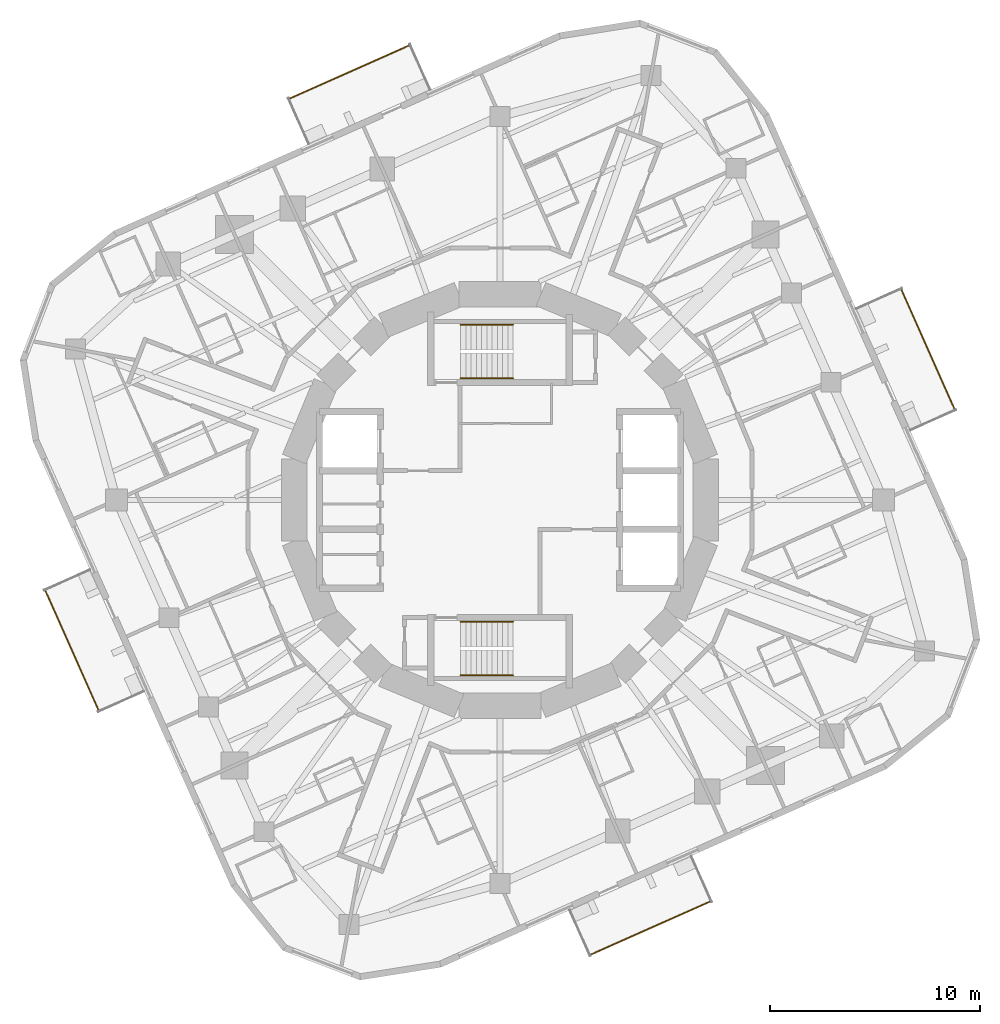
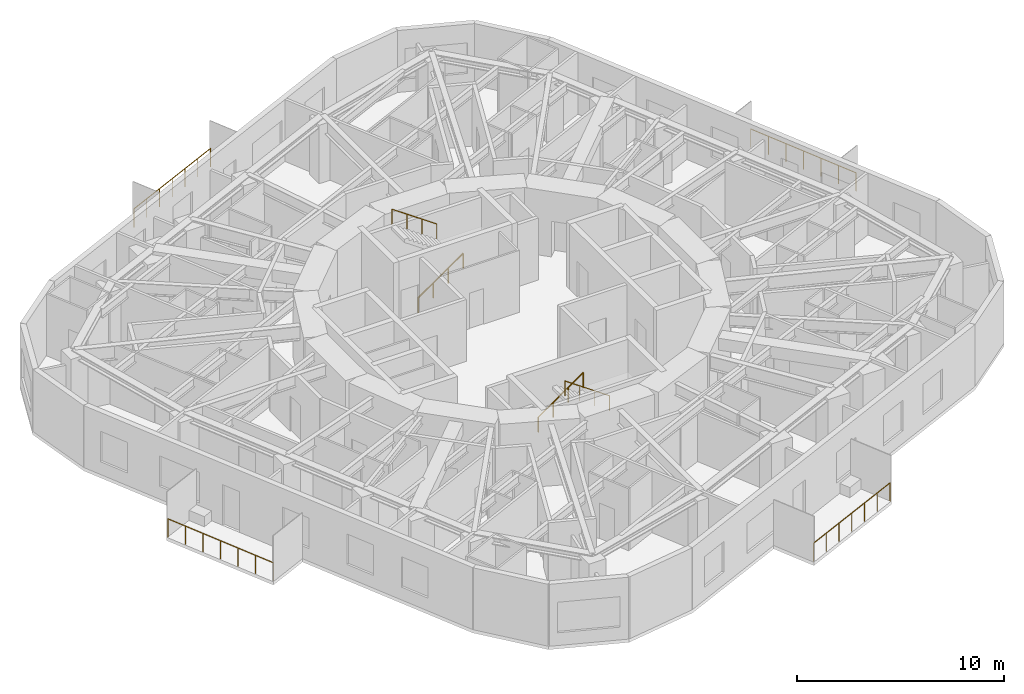
# One storey, part 11 of 12: 8 railings.
"""IFC4 building model written with IfcOpenShell, lengths in metres."""

from ifc_helpers import new_model, si_unit, direction, frame, origin, origin_2d, place, context, subcontext, project, spatial, circle, extrude, material, type_object, element, save


model = new_model("IFC4")

# Units and contexts
model_context = context("Model", 3, precision=1e-05, world=origin(), true_north=direction((0.0, 1.0)))
body_context = subcontext(model_context, "Body", "Model", "MODEL_VIEW")
ifc_project = project(units=[si_unit("LENGTHUNIT", "METRE"), si_unit("AREAUNIT", "SQUARE_METRE"), si_unit("VOLUMEUNIT", "CUBIC_METRE"), si_unit("PLANEANGLEUNIT", "RADIAN"), si_unit("MASSUNIT", "GRAM", prefix="KILO")], contexts=[model_context])

# Site, building, storey
site_placement = place(None, origin())
site = spatial("IfcSite", under=ifc_project, at=site_placement, CompositionType="ELEMENT")
building_placement = place(site_placement, origin())
building = spatial("IfcBuilding", under=site, at=building_placement, Name="Nakasero Lantern House", CompositionType="ELEMENT")
storey_placement = place(building_placement, frame((0.0, 0.0, 213.25)))
storey = spatial("IfcBuildingStorey", under=building, at=storey_placement, Name="L52", CompositionType="ELEMENT", Elevation=213.25)

# Railings
ifc_material_1 = material(Name="Aluminium 6063-T6", Category="aluminium")
railing_type_1 = type_object("IfcRailingType", Name="Balcony guard 1100", PredefinedType="BALUSTRADE", material=ifc_material_1)
railing_1_placement = place(storey_placement, frame((21.67529296875, 4.29931640625, 0.0)))
element("IfcRailing", 1, at=railing_1_placement, inside=storey, type_object=railing_type_1, Name="Balcony guard L52 BAL0", PredefinedType="BALUSTRADE", context=body_context, shape_type="SweptSolid", body=[
    extrude(circle(Radius=0.02392578125, at=origin_2d()), frame((0.0, 0.0, 1.076171875), z_axis=(-0.40676486805, 0.913532890552, 0.0), x_axis=(-0.913532890552, -0.40676486805, 0.0)), (0.0, 0.0, 1.0), 6.291259765625),
    extrude(circle(Radius=0.02099609375, at=origin_2d()), origin(), (0.0, 0.0, 1.0), 1.052001953125),
    extrude(circle(Radius=0.02099609375, at=origin_2d()), frame((-0.426513671875, 0.9580078125, 0.0)), (0.0, 0.0, 1.0), 1.052001953125),
    extrude(circle(Radius=0.02099609375, at=origin_2d()), frame((-0.85302734375, 1.915771484375, 0.0)), (0.0, 0.0, 1.0), 1.052001953125),
    extrude(circle(Radius=0.02099609375, at=origin_2d()), frame((-1.279541015625, 2.87353515625, 0.0)), (0.0, 0.0, 1.0), 1.052001953125),
    extrude(circle(Radius=0.02099609375, at=origin_2d()), frame((-1.7060546875, 3.83154296875, 0.0)), (0.0, 0.0, 1.0), 1.052001953125),
    extrude(circle(Radius=0.02099609375, at=origin_2d()), frame((-2.132568359375, 4.78955078125, 0.0)), (0.0, 0.0, 1.0), 1.052001953125),
    extrude(circle(Radius=0.02099609375, at=origin_2d()), frame((-2.55908203125, 5.747314453125, 0.0)), (0.0, 0.0, 1.0), 1.052001953125),
])
railing_2_placement = place(storey_placement, frame((-4.29931640625, 21.67529296875, 0.0)))
element("IfcRailing", 2, at=railing_2_placement, inside=storey, type_object=railing_type_1, Name="Balcony guard L52 BAL1", PredefinedType="BALUSTRADE", context=body_context, shape_type="SweptSolid", body=[
    extrude(circle(Radius=0.02392578125, at=origin_2d()), frame((0.0, 0.0, 1.076171875), z_axis=(-0.913532890552, -0.40676486805, 0.0), x_axis=(0.40676486805, -0.913532890552, 0.0)), (0.0, 0.0, 1.0), 6.291259765625),
    extrude(circle(Radius=0.02099609375, at=origin_2d()), origin(), (0.0, 0.0, 1.0), 1.052001953125),
    extrude(circle(Radius=0.02099609375, at=origin_2d()), frame((-0.9580078125, -0.426513671875, 0.0)), (0.0, 0.0, 1.0), 1.052001953125),
    extrude(circle(Radius=0.02099609375, at=origin_2d()), frame((-1.915771484375, -0.85302734375, 0.0)), (0.0, 0.0, 1.0), 1.052001953125),
    extrude(circle(Radius=0.02099609375, at=origin_2d()), frame((-2.87353515625, -1.279541015625, 0.0)), (0.0, 0.0, 1.0), 1.052001953125),
    extrude(circle(Radius=0.02099609375, at=origin_2d()), frame((-3.83154296875, -1.7060546875, 0.0)), (0.0, 0.0, 1.0), 1.052001953125),
    extrude(circle(Radius=0.02099609375, at=origin_2d()), frame((-4.78955078125, -2.132568359375, 0.0)), (0.0, 0.0, 1.0), 1.052001953125),
    extrude(circle(Radius=0.02099609375, at=origin_2d()), frame((-5.747314453125, -2.55908203125, 0.0)), (0.0, 0.0, 1.0), 1.052001953125),
])
railing_3_placement = place(storey_placement, frame((-21.67529296875, -4.29931640625, 0.0)))
element("IfcRailing", 3, at=railing_3_placement, inside=storey, type_object=railing_type_1, Name="Balcony guard L52 BAL2", PredefinedType="BALUSTRADE", context=body_context, shape_type="SweptSolid", body=[
    extrude(circle(Radius=0.02392578125, at=origin_2d()), frame((0.0, 0.0, 1.076171875), z_axis=(0.40676486805, -0.913532890552, 0.0), x_axis=(0.913532890552, 0.40676486805, 0.0)), (0.0, 0.0, 1.0), 6.291259765625),
    extrude(circle(Radius=0.02099609375, at=origin_2d()), origin(), (0.0, 0.0, 1.0), 1.052001953125),
    extrude(circle(Radius=0.02099609375, at=origin_2d()), frame((0.426513671875, -0.9580078125, 0.0)), (0.0, 0.0, 1.0), 1.052001953125),
    extrude(circle(Radius=0.02099609375, at=origin_2d()), frame((0.85302734375, -1.915771484375, 0.0)), (0.0, 0.0, 1.0), 1.052001953125),
    extrude(circle(Radius=0.02099609375, at=origin_2d()), frame((1.279541015625, -2.87353515625, 0.0)), (0.0, 0.0, 1.0), 1.052001953125),
    extrude(circle(Radius=0.02099609375, at=origin_2d()), frame((1.7060546875, -3.83154296875, 0.0)), (0.0, 0.0, 1.0), 1.052001953125),
    extrude(circle(Radius=0.02099609375, at=origin_2d()), frame((2.132568359375, -4.78955078125, 0.0)), (0.0, 0.0, 1.0), 1.052001953125),
    extrude(circle(Radius=0.02099609375, at=origin_2d()), frame((2.55908203125, -5.747314453125, 0.0)), (0.0, 0.0, 1.0), 1.052001953125),
])
railing_4_placement = place(storey_placement, frame((4.29931640625, -21.67529296875, 0.0)))
element("IfcRailing", 4, at=railing_4_placement, inside=storey, type_object=railing_type_1, Name="Balcony guard L52 BAL3", PredefinedType="BALUSTRADE", context=body_context, shape_type="SweptSolid", body=[
    extrude(circle(Radius=0.02392578125, at=origin_2d()), frame((0.0, 0.0, 1.076171875), z_axis=(0.913532890552, 0.40676486805, 0.0), x_axis=(-0.40676486805, 0.913532890552, 0.0)), (0.0, 0.0, 1.0), 6.291259765625),
    extrude(circle(Radius=0.02099609375, at=origin_2d()), origin(), (0.0, 0.0, 1.0), 1.052001953125),
    extrude(circle(Radius=0.02099609375, at=origin_2d()), frame((0.9580078125, 0.426513671875, 0.0)), (0.0, 0.0, 1.0), 1.052001953125),
    extrude(circle(Radius=0.02099609375, at=origin_2d()), frame((1.915771484375, 0.85302734375, 0.0)), (0.0, 0.0, 1.0), 1.052001953125),
    extrude(circle(Radius=0.02099609375, at=origin_2d()), frame((2.87353515625, 1.279541015625, 0.0)), (0.0, 0.0, 1.0), 1.052001953125),
    extrude(circle(Radius=0.02099609375, at=origin_2d()), frame((3.83154296875, 1.7060546875, 0.0)), (0.0, 0.0, 1.0), 1.052001953125),
    extrude(circle(Radius=0.02099609375, at=origin_2d()), frame((4.78955078125, 2.132568359375, 0.0)), (0.0, 0.0, 1.0), 1.052001953125),
    extrude(circle(Radius=0.02099609375, at=origin_2d()), frame((5.747314453125, 2.55908203125, 0.0)), (0.0, 0.0, 1.0), 1.052001953125),
])
ifc_material_2 = material(Name="Stainless steel 316", Category="steel")
railing_type_2 = type_object("IfcRailingType", Name="Stair handrail 900", PredefinedType="HANDRAIL", material=ifc_material_2)
railing_5_placement = place(storey_placement, frame((-1.875, 5.800048828125, 0.175048828125)))
element("IfcRailing", 5, at=railing_5_placement, inside=storey, type_object=railing_type_2, Name="Handrail ST1 L52 flight 1", PredefinedType="HANDRAIL", context=body_context, shape_type="SweptSolid", body=[
    extrude(circle(Radius=0.02392578125, at=origin_2d()), frame((0.0, 0.0, 0.8759765625), z_axis=(0.819231920519, 0.0, 0.573462344363), x_axis=(0.0, 1.0, 0.0)), (0.0, 0.0, 1.0), 3.0517578125),
    extrude(circle(Radius=0.02099609375, at=origin_2d()), origin(), (0.0, 0.0, 1.0), 0.851806640625),
    extrude(circle(Radius=0.02099609375, at=origin_2d()), frame((0.833251953125, 0.0, 0.583251953125)), (0.0, 0.0, 1.0), 0.851806640625),
    extrude(circle(Radius=0.02099609375, at=origin_2d()), frame((1.666748046875, 0.0, 1.166748046875)), (0.0, 0.0, 1.0), 0.851806640625),
    extrude(circle(Radius=0.02099609375, at=origin_2d()), frame((2.5, 0.0, 1.75)), (0.0, 0.0, 1.0), 0.851806640625),
])
railing_6_placement = place(storey_placement, frame((0.625, 8.35009765625, 2.10009765625)))
element("IfcRailing", 6, at=railing_6_placement, inside=storey, type_object=railing_type_2, Name="Handrail ST1 L52 flight 2", PredefinedType="HANDRAIL", context=body_context, shape_type="SweptSolid", body=[
    extrude(circle(Radius=0.02392578125, at=origin_2d()), frame((0.0, 0.0, 0.8759765625), z_axis=(-0.819231920519, 0.0, 0.573462344363), x_axis=(0.0, -1.0, 0.0)), (0.0, 0.0, 1.0), 3.0517578125),
    extrude(circle(Radius=0.02099609375, at=origin_2d()), origin(), (0.0, 0.0, 1.0), 0.851806640625),
    extrude(circle(Radius=0.02099609375, at=origin_2d()), frame((-0.833251953125, 0.0, 0.583251953125)), (0.0, 0.0, 1.0), 0.851806640625),
    extrude(circle(Radius=0.02099609375, at=origin_2d()), frame((-1.666748046875, 0.0, 1.166748046875)), (0.0, 0.0, 1.0), 0.851806640625),
    extrude(circle(Radius=0.02099609375, at=origin_2d()), frame((-2.5, 0.0, 1.75)), (0.0, 0.0, 1.0), 0.851806640625),
])
railing_7_placement = place(storey_placement, frame((-1.875, -5.800048828125, 0.175048828125)))
element("IfcRailing", 7, at=railing_7_placement, inside=storey, type_object=railing_type_2, Name="Handrail ST2 L52 flight 1", PredefinedType="HANDRAIL", context=body_context, shape_type="SweptSolid", body=[
    extrude(circle(Radius=0.02392578125, at=origin_2d()), frame((0.0, 0.0, 0.8759765625), z_axis=(0.819231920519, 0.0, 0.573462344363), x_axis=(0.0, 1.0, 0.0)), (0.0, 0.0, 1.0), 3.0517578125),
    extrude(circle(Radius=0.02099609375, at=origin_2d()), origin(), (0.0, 0.0, 1.0), 0.851806640625),
    extrude(circle(Radius=0.02099609375, at=origin_2d()), frame((0.833251953125, 0.0, 0.583251953125)), (0.0, 0.0, 1.0), 0.851806640625),
    extrude(circle(Radius=0.02099609375, at=origin_2d()), frame((1.666748046875, 0.0, 1.166748046875)), (0.0, 0.0, 1.0), 0.851806640625),
    extrude(circle(Radius=0.02099609375, at=origin_2d()), frame((2.5, 0.0, 1.75)), (0.0, 0.0, 1.0), 0.851806640625),
])
railing_8_placement = place(storey_placement, frame((0.625, -8.35009765625, 2.10009765625)))
element("IfcRailing", 8, at=railing_8_placement, inside=storey, type_object=railing_type_2, Name="Handrail ST2 L52 flight 2", PredefinedType="HANDRAIL", context=body_context, shape_type="SweptSolid", body=[
    extrude(circle(Radius=0.02392578125, at=origin_2d()), frame((0.0, 0.0, 0.8759765625), z_axis=(-0.819231920519, 0.0, 0.573462344363), x_axis=(0.0, -1.0, 0.0)), (0.0, 0.0, 1.0), 3.0517578125),
    extrude(circle(Radius=0.02099609375, at=origin_2d()), origin(), (0.0, 0.0, 1.0), 0.851806640625),
    extrude(circle(Radius=0.02099609375, at=origin_2d()), frame((-0.833251953125, 0.0, 0.583251953125)), (0.0, 0.0, 1.0), 0.851806640625),
    extrude(circle(Radius=0.02099609375, at=origin_2d()), frame((-1.666748046875, 0.0, 1.166748046875)), (0.0, 0.0, 1.0), 0.851806640625),
    extrude(circle(Radius=0.02099609375, at=origin_2d()), frame((-2.5, 0.0, 1.75)), (0.0, 0.0, 1.0), 0.851806640625),
])

save(model, "model.ifc")
